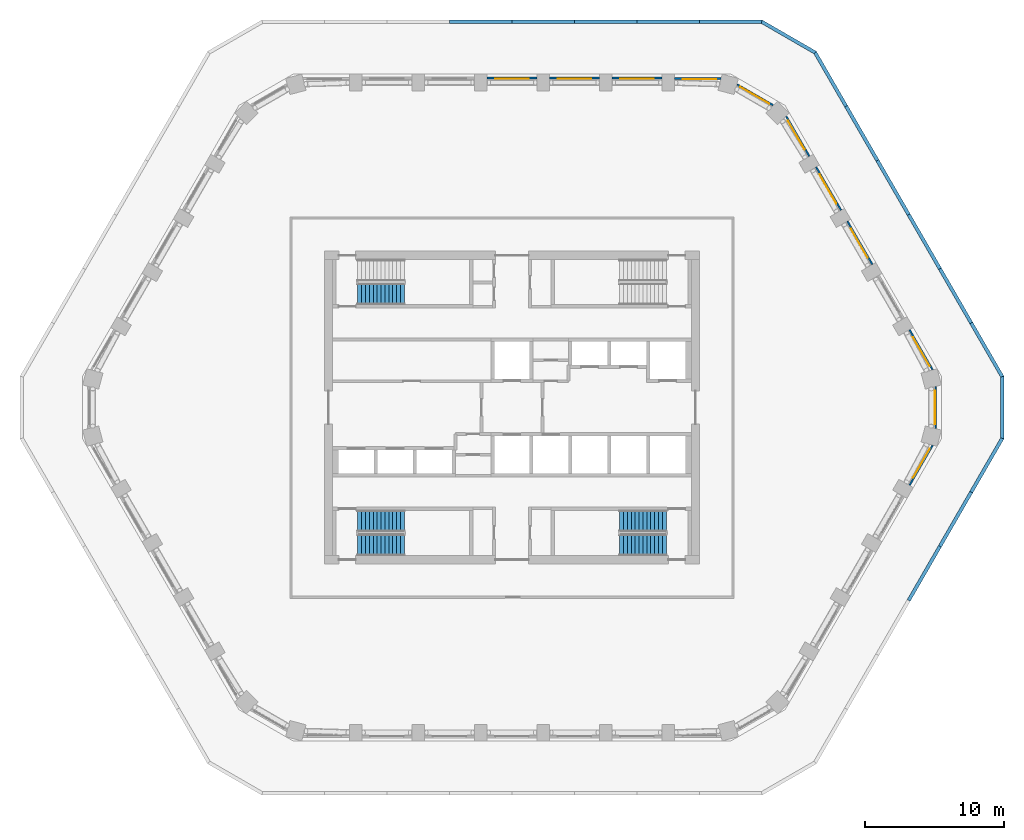
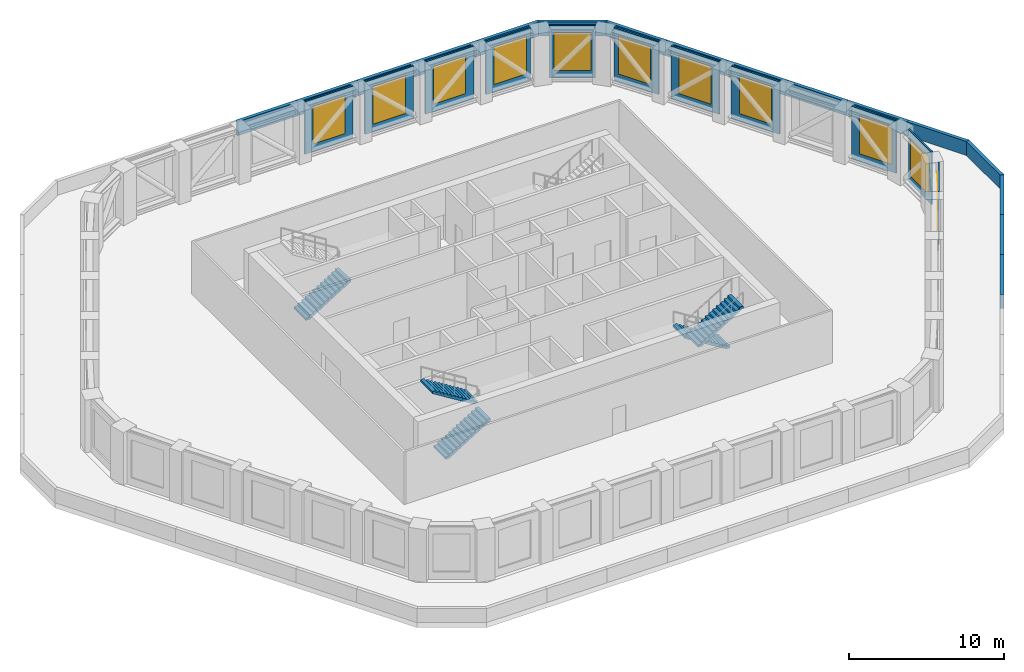
# One storey, part 7 of 14: 27 walls, 11 windows, 5 stair flights, 11 openings, 3 elements without a shape of their own.
"""IFC4 building model written with IfcOpenShell, lengths in metres."""

from ifc_helpers import new_model, si_unit, direction, frame, frame_2d, origin, place, context, subcontext, project, spatial, polyline, rectangle, outline, extrude, material, layer, layer_set, type_object, element, fill, aggregate, save


model = new_model("IFC4")

# Units and contexts
model_context = context("Model", 3, precision=1e-05, world=origin(), true_north=direction((0.0, 1.0)))
body_context = subcontext(model_context, "Body", "Model", "MODEL_VIEW")
ifc_project = project(units=[si_unit("LENGTHUNIT", "METRE"), si_unit("AREAUNIT", "SQUARE_METRE"), si_unit("VOLUMEUNIT", "CUBIC_METRE"), si_unit("PLANEANGLEUNIT", "RADIAN"), si_unit("MASSUNIT", "GRAM", prefix="KILO")], contexts=[model_context])

# Site, building, storey
site_placement = place(None, origin())
site = spatial("IfcSite", under=ifc_project, at=site_placement, CompositionType="ELEMENT")
building_placement = place(site_placement, origin())
building = spatial("IfcBuilding", under=site, at=building_placement, Name="Dhurran Vertical Campus", CompositionType="ELEMENT")
storey_placement = place(building_placement, frame((0.0, 0.0, 179.39990234375)))
storey = spatial("IfcBuildingStorey", under=building, at=storey_placement, Name="L44 Plant", CompositionType="ELEMENT", Elevation=179.39990234375)

# Wall, opening, window
ifc_material_1 = material(Name="Precast concrete C50/60", Category="concrete")
ifc_layer_1 = layer(ifc_material_1, 0.1201171875)
ifc_layer_set_1 = layer_set([ifc_layer_1], Name="Precast concrete C50/60")
wall_type_1 = type_object("IfcWallType", Name="Precast louvre-bay panel 120", PredefinedType="SOLIDWALL", material=ifc_layer_set_1)
wall_1_placement = place(storey_placement, frame((28.598388671875, -5.598876953125, 0.0), z_axis=(0.0, 0.0, 1.0), x_axis=(0.500029427677, 0.866008413041, 0.0)))
wall_1 = element("IfcWall", 1, at=wall_1_placement, inside=storey, type_object=wall_type_1, Name="EW4 L44.12", PredefinedType="SOLIDWALL", context=body_context, shape_type="SweptSolid", body=[
    extrude(rectangle(XDim=3.327392578125, YDim=0.1201171875, at=frame_2d((1.66357421875, 0.0))), origin(), (0.0, 0.0, 1.0), 4.150146484375),
])
opening_1_placement = place(wall_1_placement, frame((0.599609375, 0.0, 0.60009765625)))
opening_1 = element("IfcOpeningElement", 2, at=opening_1_placement, cuts=wall_1, Name="Opening WT4", PredefinedType="OPENING", context=body_context, shape_type="SweptSolid", body=[
    extrude(rectangle(XDim=2.39990234375, YDim=3.0, at=frame_2d((1.199951171875, 1.5))), frame((0.0, 0.070068359375, 0.0), z_axis=(0.0, -1.0, 0.0), x_axis=(1.0, 0.0, 0.0)), (0.0, 0.0, 1.0), 0.14013671875),
])
ifc_material_2 = material(Name="Aluminium louvre", Category="aluminium")
window_type = type_object("IfcWindowType", Name="Louvred plant vent 2400 x 3000", PartitioningType="SINGLE_PANEL", PredefinedType="WINDOW", material=ifc_material_2)
window_1_placement = place(opening_1_placement, origin())
window_1 = element("IfcWindow", 3, at=window_1_placement, inside=storey, type_object=window_type, Name="WT4 L44.12", OverallHeight=3.0, OverallWidth=2.39990234375, PartitioningType="SINGLE_PANEL", PredefinedType="WINDOW", context=body_context, shape_type="SweptSolid", body=[
    extrude(rectangle(XDim=2.39990234375, YDim=3.0, at=frame_2d((1.199951171875, 1.5))), frame((0.0, 0.06005859375, 0.0), z_axis=(0.0, -1.0, 0.0), x_axis=(1.0, 0.0, 0.0)), (0.0, 0.0, 1.0), 0.02001953125),
])
fill(opening_1, window_1)

wall_2_placement = place(storey_placement, frame((30.482177734375, -1.501220703125, 0.0), z_axis=(0.0, 0.0, 1.0), x_axis=(0.0, 1.0, 0.0)))
wall_2 = element("IfcWall", 4, at=wall_2_placement, inside=storey, type_object=wall_type_1, Name="EW4 L44.13", PredefinedType="SOLIDWALL", context=body_context, shape_type="SweptSolid", body=[
    extrude(rectangle(XDim=3.00244140625, YDim=0.1201171875, at=frame_2d((1.501220703125, 0.0))), origin(), (0.0, 0.0, 1.0), 4.150146484375),
])
opening_2_placement = place(wall_2_placement, frame((0.30126953125, 0.0, 0.60009765625)))
opening_2 = element("IfcOpeningElement", 5, at=opening_2_placement, cuts=wall_2, Name="Opening WT4", PredefinedType="OPENING", context=body_context, shape_type="SweptSolid", body=[
    extrude(rectangle(XDim=2.39990234375, YDim=3.0, at=frame_2d((1.199951171875, 1.5))), frame((0.0, 0.070068359375, 0.0), z_axis=(0.0, -1.0, 0.0), x_axis=(1.0, 0.0, 0.0)), (0.0, 0.0, 1.0), 0.14013671875),
])
window_2_placement = place(opening_2_placement, origin())
window_2 = element("IfcWindow", 6, at=window_2_placement, inside=storey, type_object=window_type, Name="WT4 L44.13", OverallHeight=3.0, OverallWidth=2.39990234375, PartitioningType="SINGLE_PANEL", PredefinedType="WINDOW", context=body_context, shape_type="SweptSolid", body=[
    extrude(rectangle(XDim=2.39990234375, YDim=3.0, at=frame_2d((1.199951171875, 1.5))), frame((0.0, 0.06005859375, 0.0), z_axis=(0.0, -1.0, 0.0), x_axis=(1.0, 0.0, 0.0)), (0.0, 0.0, 1.0), 0.02001953125),
])
fill(opening_2, window_2)

wall_3_placement = place(storey_placement, frame((30.26220703125, 2.71728515625, 0.0), z_axis=(0.0, 0.0, 1.0), x_axis=(-0.500029427677, 0.866008413041, 0.0)))
wall_3 = element("IfcWall", 7, at=wall_3_placement, inside=storey, type_object=wall_type_1, Name="EW4 L44.14", PredefinedType="SOLIDWALL", context=body_context, shape_type="SweptSolid", body=[
    extrude(rectangle(XDim=3.327392578125, YDim=0.1201171875, at=frame_2d((1.66357421875, 0.0))), origin(), (0.0, 0.0, 1.0), 4.150146484375),
])
opening_3_placement = place(wall_3_placement, frame((0.327880859375, 0.0, 0.60009765625)))
opening_3 = element("IfcOpeningElement", 8, at=opening_3_placement, cuts=wall_3, Name="Opening WT4", PredefinedType="OPENING", context=body_context, shape_type="SweptSolid", body=[
    extrude(rectangle(XDim=2.39990234375, YDim=3.0, at=frame_2d((1.199951171875, 1.5))), frame((0.0, 0.070068359375, 0.0), z_axis=(0.0, -1.0, 0.0), x_axis=(1.0, 0.0, 0.0)), (0.0, 0.0, 1.0), 0.14013671875),
])
window_3_placement = place(opening_3_placement, origin())
window_3 = element("IfcWindow", 9, at=window_3_placement, inside=storey, type_object=window_type, Name="WT4 L44.14", OverallHeight=3.0, OverallWidth=2.39990234375, PartitioningType="SINGLE_PANEL", PredefinedType="WINDOW", context=body_context, shape_type="SweptSolid", body=[
    extrude(rectangle(XDim=2.39990234375, YDim=3.0, at=frame_2d((1.199951171875, 1.5))), frame((0.0, 0.06005859375, 0.0), z_axis=(0.0, -1.0, 0.0), x_axis=(1.0, 0.0, 0.0)), (0.0, 0.0, 1.0), 0.02001953125),
])
fill(opening_3, window_3)

wall_4_placement = place(storey_placement, frame((25.92919921875, 10.294189453125, 0.0), z_axis=(0.0, 0.0, 1.0), x_axis=(-0.499998428639, 0.866026311008, 0.0)))
wall_4 = element("IfcWall", 10, at=wall_4_placement, inside=storey, type_object=wall_type_1, Name="EW4 L44.16", PredefinedType="SOLIDWALL", context=body_context, shape_type="SweptSolid", body=[
    extrude(rectangle(XDim=3.59912109375, YDim=0.1201171875, at=frame_2d((1.799560546875, 0.0))), origin(), (0.0, 0.0, 1.0), 4.150146484375),
])
opening_4_placement = place(wall_4_placement, frame((0.599609375, 0.0, 0.60009765625)))
opening_4 = element("IfcOpeningElement", 11, at=opening_4_placement, cuts=wall_4, Name="Opening WT4", PredefinedType="OPENING", context=body_context, shape_type="SweptSolid", body=[
    extrude(rectangle(XDim=2.39990234375, YDim=3.0, at=frame_2d((1.199951171875, 1.5))), frame((0.0, 0.070068359375, 0.0), z_axis=(0.0, -1.0, 0.0), x_axis=(1.0, 0.0, 0.0)), (0.0, 0.0, 1.0), 0.14013671875),
])
window_4_placement = place(opening_4_placement, origin())
window_4 = element("IfcWindow", 12, at=window_4_placement, inside=storey, type_object=window_type, Name="WT4 L44.16", OverallHeight=3.0, OverallWidth=2.39990234375, PartitioningType="SINGLE_PANEL", PredefinedType="WINDOW", context=body_context, shape_type="SweptSolid", body=[
    extrude(rectangle(XDim=2.39990234375, YDim=3.0, at=frame_2d((1.199951171875, 1.5))), frame((0.0, 0.06005859375, 0.0), z_axis=(0.0, -1.0, 0.0), x_axis=(1.0, 0.0, 0.0)), (0.0, 0.0, 1.0), 0.02001953125),
])
fill(opening_4, window_4)

wall_5_placement = place(storey_placement, frame((23.67919921875, 14.19140625, 0.0), z_axis=(0.0, 0.0, 1.0), x_axis=(-0.500027802648, 0.866009351323, 0.0)))
wall_5 = element("IfcWall", 13, at=wall_5_placement, inside=storey, type_object=wall_type_1, Name="EW4 L44.17", PredefinedType="SOLIDWALL", context=body_context, shape_type="SweptSolid", body=[
    extrude(rectangle(XDim=3.598876953125, YDim=0.1201171875, at=frame_2d((1.79931640625, 0.0))), origin(), (0.0, 0.0, 1.0), 4.150146484375),
])
opening_5_placement = place(wall_5_placement, frame((0.599609375, 0.0, 0.60009765625)))
opening_5 = element("IfcOpeningElement", 14, at=opening_5_placement, cuts=wall_5, Name="Opening WT4", PredefinedType="OPENING", context=body_context, shape_type="SweptSolid", body=[
    extrude(rectangle(XDim=2.39990234375, YDim=3.0, at=frame_2d((1.199951171875, 1.5))), frame((0.0, 0.070068359375, 0.0), z_axis=(0.0, -1.0, 0.0), x_axis=(1.0, 0.0, 0.0)), (0.0, 0.0, 1.0), 0.14013671875),
])
window_5_placement = place(opening_5_placement, origin())
window_5 = element("IfcWindow", 15, at=window_5_placement, inside=storey, type_object=window_type, Name="WT4 L44.17", OverallHeight=3.0, OverallWidth=2.39990234375, PartitioningType="SINGLE_PANEL", PredefinedType="WINDOW", context=body_context, shape_type="SweptSolid", body=[
    extrude(rectangle(XDim=2.39990234375, YDim=3.0, at=frame_2d((1.199951171875, 1.5))), frame((0.0, 0.06005859375, 0.0), z_axis=(0.0, -1.0, 0.0), x_axis=(1.0, 0.0, 0.0)), (0.0, 0.0, 1.0), 0.02001953125),
])
fill(opening_5, window_5)

wall_6_placement = place(storey_placement, frame((21.39794921875, 18.070556640625, 0.0), z_axis=(0.0, 0.0, 1.0), x_axis=(-0.500006170614, 0.866021841149, 0.0)))
wall_6 = element("IfcWall", 16, at=wall_6_placement, inside=storey, type_object=wall_type_1, Name="EW4 L44.18", PredefinedType="SOLIDWALL", context=body_context, shape_type="SweptSolid", body=[
    extrude(rectangle(XDim=3.3271484375, YDim=0.1201171875, at=frame_2d((1.66357421875, 0.0))), origin(), (0.0, 0.0, 1.0), 4.150146484375),
])
opening_6_placement = place(wall_6_placement, frame((0.599609375, 0.0, 0.60009765625)))
opening_6 = element("IfcOpeningElement", 17, at=opening_6_placement, cuts=wall_6, Name="Opening WT4", PredefinedType="OPENING", context=body_context, shape_type="SweptSolid", body=[
    extrude(rectangle(XDim=2.39990234375, YDim=3.0, at=frame_2d((1.199951171875, 1.5))), frame((0.0, 0.070068359375, 0.0), z_axis=(0.0, -1.0, 0.0), x_axis=(1.0, 0.0, 0.0)), (0.0, 0.0, 1.0), 0.14013671875),
])
window_6_placement = place(opening_6_placement, origin())
window_6 = element("IfcWindow", 18, at=window_6_placement, inside=storey, type_object=window_type, Name="WT4 L44.18", OverallHeight=3.0, OverallWidth=2.39990234375, PartitioningType="SINGLE_PANEL", PredefinedType="WINDOW", context=body_context, shape_type="SweptSolid", body=[
    extrude(rectangle(XDim=2.39990234375, YDim=3.0, at=frame_2d((1.199951171875, 1.5))), frame((0.0, 0.06005859375, 0.0), z_axis=(0.0, -1.0, 0.0), x_axis=(1.0, 0.0, 0.0)), (0.0, 0.0, 1.0), 0.02001953125),
])
fill(opening_6, window_6)

wall_7_placement = place(storey_placement, frame((18.791259765625, 21.75048828125, 0.0), z_axis=(0.0, 0.0, 1.0), x_axis=(-0.866037998184, 0.499978185225, 0.0)))
wall_7 = element("IfcWall", 19, at=wall_7_placement, inside=storey, type_object=wall_type_1, Name="EW4 L44.19", PredefinedType="SOLIDWALL", context=body_context, shape_type="SweptSolid", body=[
    extrude(rectangle(XDim=3.002685546875, YDim=0.1201171875, at=frame_2d((1.50146484375, 0.0))), origin(), (0.0, 0.0, 1.0), 4.150146484375),
])
opening_7_placement = place(wall_7_placement, frame((0.30126953125, 0.0, 0.60009765625)))
opening_7 = element("IfcOpeningElement", 20, at=opening_7_placement, cuts=wall_7, Name="Opening WT4", PredefinedType="OPENING", context=body_context, shape_type="SweptSolid", body=[
    extrude(rectangle(XDim=2.39990234375, YDim=3.0, at=frame_2d((1.199951171875, 1.5))), frame((0.0, 0.070068359375, 0.0), z_axis=(0.0, -1.0, 0.0), x_axis=(1.0, 0.0, 0.0)), (0.0, 0.0, 1.0), 0.14013671875),
])
window_7_placement = place(opening_7_placement, origin())
window_7 = element("IfcWindow", 21, at=window_7_placement, inside=storey, type_object=window_type, Name="WT4 L44.19", OverallHeight=3.0, OverallWidth=2.39990234375, PartitioningType="SINGLE_PANEL", PredefinedType="WINDOW", context=body_context, shape_type="SweptSolid", body=[
    extrude(rectangle(XDim=2.39990234375, YDim=3.0, at=frame_2d((1.199951171875, 1.5))), frame((0.0, 0.06005859375, 0.0), z_axis=(0.0, -1.0, 0.0), x_axis=(1.0, 0.0, 0.0)), (0.0, 0.0, 1.0), 0.02001953125),
])
fill(opening_7, window_7)

wall_8_placement = place(storey_placement, frame((15.02783203125, 23.66943359375, 0.0), z_axis=(0.0, 0.0, 1.0), x_axis=(-1.0, 0.0, 0.0)))
wall_8 = element("IfcWall", 22, at=wall_8_placement, inside=storey, type_object=wall_type_1, Name="EW4 L44.20", PredefinedType="SOLIDWALL", context=body_context, shape_type="SweptSolid", body=[
    extrude(rectangle(XDim=3.327392578125, YDim=0.1201171875, at=frame_2d((1.66357421875, 0.0))), origin(), (0.0, 0.0, 1.0), 4.150146484375),
])
opening_8_placement = place(wall_8_placement, frame((0.327880859375, 0.0, 0.60009765625)))
opening_8 = element("IfcOpeningElement", 23, at=opening_8_placement, cuts=wall_8, Name="Opening WT4", PredefinedType="OPENING", context=body_context, shape_type="SweptSolid", body=[
    extrude(rectangle(XDim=2.39990234375, YDim=3.0, at=frame_2d((1.199951171875, 1.5))), frame((0.0, 0.070068359375, 0.0), z_axis=(0.0, -1.0, 0.0), x_axis=(1.0, 0.0, 0.0)), (0.0, 0.0, 1.0), 0.14013671875),
])
window_8_placement = place(opening_8_placement, origin())
window_8 = element("IfcWindow", 24, at=window_8_placement, inside=storey, type_object=window_type, Name="WT4 L44.20", OverallHeight=3.0, OverallWidth=2.39990234375, PartitioningType="SINGLE_PANEL", PredefinedType="WINDOW", context=body_context, shape_type="SweptSolid", body=[
    extrude(rectangle(XDim=2.39990234375, YDim=3.0, at=frame_2d((1.199951171875, 1.5))), frame((0.0, 0.06005859375, 0.0), z_axis=(0.0, -1.0, 0.0), x_axis=(1.0, 0.0, 0.0)), (0.0, 0.0, 1.0), 0.02001953125),
])
fill(opening_8, window_8)

wall_9_placement = place(storey_placement, frame((10.799560546875, 23.705322265625, 0.0), z_axis=(0.0, 0.0, 1.0), x_axis=(-1.0, 0.0, 0.0)))
wall_9 = element("IfcWall", 25, at=wall_9_placement, inside=storey, type_object=wall_type_1, Name="EW4 L44.21", PredefinedType="SOLIDWALL", context=body_context, shape_type="SweptSolid", body=[
    extrude(rectangle(XDim=3.59912109375, YDim=0.1201171875, at=frame_2d((1.799560546875, 0.0))), origin(), (0.0, 0.0, 1.0), 4.150146484375),
])
opening_9_placement = place(wall_9_placement, frame((0.599609375, 0.0, 0.60009765625)))
opening_9 = element("IfcOpeningElement", 26, at=opening_9_placement, cuts=wall_9, Name="Opening WT4", PredefinedType="OPENING", context=body_context, shape_type="SweptSolid", body=[
    extrude(rectangle(XDim=2.39990234375, YDim=3.0, at=frame_2d((1.199951171875, 1.5))), frame((0.0, 0.070068359375, 0.0), z_axis=(0.0, -1.0, 0.0), x_axis=(1.0, 0.0, 0.0)), (0.0, 0.0, 1.0), 0.14013671875),
])
window_9_placement = place(opening_9_placement, origin())
window_9 = element("IfcWindow", 27, at=window_9_placement, inside=storey, type_object=window_type, Name="WT4 L44.21", OverallHeight=3.0, OverallWidth=2.39990234375, PartitioningType="SINGLE_PANEL", PredefinedType="WINDOW", context=body_context, shape_type="SweptSolid", body=[
    extrude(rectangle(XDim=2.39990234375, YDim=3.0, at=frame_2d((1.199951171875, 1.5))), frame((0.0, 0.06005859375, 0.0), z_axis=(0.0, -1.0, 0.0), x_axis=(1.0, 0.0, 0.0)), (0.0, 0.0, 1.0), 0.02001953125),
])
fill(opening_9, window_9)

wall_10_placement = place(storey_placement, frame((6.299560546875, 23.705322265625, 0.0), z_axis=(0.0, 0.0, 1.0), x_axis=(-1.0, 0.0, 0.0)))
wall_10 = element("IfcWall", 28, at=wall_10_placement, inside=storey, type_object=wall_type_1, Name="EW4 L44.22", PredefinedType="SOLIDWALL", context=body_context, shape_type="SweptSolid", body=[
    extrude(rectangle(XDim=3.59912109375, YDim=0.1201171875, at=frame_2d((1.799560546875, 0.0))), origin(), (0.0, 0.0, 1.0), 4.150146484375),
])
opening_10_placement = place(wall_10_placement, frame((0.599609375, 0.0, 0.60009765625)))
opening_10 = element("IfcOpeningElement", 29, at=opening_10_placement, cuts=wall_10, Name="Opening WT4", PredefinedType="OPENING", context=body_context, shape_type="SweptSolid", body=[
    extrude(rectangle(XDim=2.39990234375, YDim=3.0, at=frame_2d((1.199951171875, 1.5))), frame((0.0, 0.070068359375, 0.0), z_axis=(0.0, -1.0, 0.0), x_axis=(1.0, 0.0, 0.0)), (0.0, 0.0, 1.0), 0.14013671875),
])
window_10_placement = place(opening_10_placement, origin())
window_10 = element("IfcWindow", 30, at=window_10_placement, inside=storey, type_object=window_type, Name="WT4 L44.22", OverallHeight=3.0, OverallWidth=2.39990234375, PartitioningType="SINGLE_PANEL", PredefinedType="WINDOW", context=body_context, shape_type="SweptSolid", body=[
    extrude(rectangle(XDim=2.39990234375, YDim=3.0, at=frame_2d((1.199951171875, 1.5))), frame((0.0, 0.06005859375, 0.0), z_axis=(0.0, -1.0, 0.0), x_axis=(1.0, 0.0, 0.0)), (0.0, 0.0, 1.0), 0.02001953125),
])
fill(opening_10, window_10)

wall_11_placement = place(storey_placement, frame((1.799560546875, 23.705322265625, 0.0), z_axis=(0.0, 0.0, 1.0), x_axis=(-1.0, 0.0, 0.0)))
wall_11 = element("IfcWall", 31, at=wall_11_placement, inside=storey, type_object=wall_type_1, Name="EW4 L44.23", PredefinedType="SOLIDWALL", context=body_context, shape_type="SweptSolid", body=[
    extrude(rectangle(XDim=3.59912109375, YDim=0.1201171875, at=frame_2d((1.799560546875, 0.0))), origin(), (0.0, 0.0, 1.0), 4.150146484375),
])
opening_11_placement = place(wall_11_placement, frame((0.599609375, 0.0, 0.60009765625)))
opening_11 = element("IfcOpeningElement", 32, at=opening_11_placement, cuts=wall_11, Name="Opening WT4", PredefinedType="OPENING", context=body_context, shape_type="SweptSolid", body=[
    extrude(rectangle(XDim=2.39990234375, YDim=3.0, at=frame_2d((1.199951171875, 1.5))), frame((0.0, 0.070068359375, 0.0), z_axis=(0.0, -1.0, 0.0), x_axis=(1.0, 0.0, 0.0)), (0.0, 0.0, 1.0), 0.14013671875),
])
window_11_placement = place(opening_11_placement, origin())
window_11 = element("IfcWindow", 33, at=window_11_placement, inside=storey, type_object=window_type, Name="WT4 L44.23", OverallHeight=3.0, OverallWidth=2.39990234375, PartitioningType="SINGLE_PANEL", PredefinedType="WINDOW", context=body_context, shape_type="SweptSolid", body=[
    extrude(rectangle(XDim=2.39990234375, YDim=3.0, at=frame_2d((1.199951171875, 1.5))), frame((0.0, 0.06005859375, 0.0), z_axis=(0.0, -1.0, 0.0), x_axis=(1.0, 0.0, 0.0)), (0.0, 0.0, 1.0), 0.02001953125),
])
fill(opening_11, window_11)

# Walls
ifc_material_3 = material(Name="Precast concrete C50/60", Category="concrete")
ifc_layer_2 = layer(ifc_material_3, 0.25)
ifc_layer_set_2 = layer_set([ifc_layer_2], Name="Precast concrete C50/60")
wall_type_2 = type_object("IfcWallType", Name="Precast parapet 250", PredefinedType="PARAPET", material=ifc_layer_set_2)
wall_12_placement = place(storey_placement, origin())
element("IfcWall", 34, at=wall_12_placement, inside=storey, type_object=wall_type_2, Name="PW1 L44.12", PredefinedType="PARAPET", context=body_context, shape_type="SweptSolid", body=[
    extrude(outline(polyline([(28.647216796875, -13.94140625), (30.897216796875, -10.044189453125), (30.6806640625, -9.919189453125), (28.4306640625, -13.81640625), (28.647216796875, -13.94140625)])), origin(), (0.0, 0.0, 1.0), 1.10009765625),
])
wall_13_placement = place(storey_placement, origin())
element("IfcWall", 35, at=wall_13_placement, inside=storey, type_object=wall_type_2, Name="PW1 L44.13", PredefinedType="PARAPET", context=body_context, shape_type="SweptSolid", body=[
    extrude(outline(polyline([(30.897216796875, -10.044189453125), (33.147216796875, -6.147216796875), (32.9306640625, -6.022216796875), (30.6806640625, -9.919189453125), (30.897216796875, -10.044189453125)])), origin(), (0.0, 0.0, 1.0), 1.10009765625),
])
wall_14_placement = place(storey_placement, origin())
element("IfcWall", 36, at=wall_14_placement, inside=storey, type_object=wall_type_2, Name="PW1 L44.14", PredefinedType="PARAPET", context=body_context, shape_type="SweptSolid", body=[
    extrude(outline(polyline([(33.147216796875, -6.147216796875), (35.397216796875, -2.25), (35.147216796875, -2.18310546875), (32.9306640625, -6.022216796875), (33.147216796875, -6.147216796875)])), origin(), (0.0, 0.0, 1.0), 1.10009765625),
])
wall_15_placement = place(storey_placement, origin())
element("IfcWall", 37, at=wall_15_placement, inside=storey, type_object=wall_type_2, Name="PW1 L44.15", PredefinedType="PARAPET", context=body_context, shape_type="SweptSolid", body=[
    extrude(outline(polyline([(35.397216796875, -2.25), (35.397216796875, 2.25), (35.147216796875, 2.18310546875), (35.147216796875, -2.18310546875), (35.397216796875, -2.25)])), origin(), (0.0, 0.0, 1.0), 1.10009765625),
])
wall_16_placement = place(storey_placement, origin())
element("IfcWall", 38, at=wall_16_placement, inside=storey, type_object=wall_type_2, Name="PW1 L44.16", PredefinedType="PARAPET", context=body_context, shape_type="SweptSolid", body=[
    extrude(outline(polyline([(35.397216796875, 2.25), (33.147216796875, 6.147216796875), (32.9306640625, 6.022216796875), (35.147216796875, 2.18310546875), (35.397216796875, 2.25)])), origin(), (0.0, 0.0, 1.0), 1.10009765625),
])
wall_17_placement = place(storey_placement, origin())
element("IfcWall", 39, at=wall_17_placement, inside=storey, type_object=wall_type_2, Name="PW1 L44.17", PredefinedType="PARAPET", context=body_context, shape_type="SweptSolid", body=[
    extrude(outline(polyline([(33.147216796875, 6.147216796875), (30.897216796875, 10.044189453125), (30.6806640625, 9.919189453125), (32.9306640625, 6.022216796875), (33.147216796875, 6.147216796875)])), origin(), (0.0, 0.0, 1.0), 1.10009765625),
])
wall_18_placement = place(storey_placement, origin())
element("IfcWall", 40, at=wall_18_placement, inside=storey, type_object=wall_type_2, Name="PW1 L44.18", PredefinedType="PARAPET", context=body_context, shape_type="SweptSolid", body=[
    extrude(outline(polyline([(30.897216796875, 10.044189453125), (28.647216796875, 13.94140625), (28.4306640625, 13.81640625), (30.6806640625, 9.919189453125), (30.897216796875, 10.044189453125)])), origin(), (0.0, 0.0, 1.0), 1.10009765625),
])
wall_19_placement = place(storey_placement, origin())
element("IfcWall", 41, at=wall_19_placement, inside=storey, type_object=wall_type_2, Name="PW1 L44.19", PredefinedType="PARAPET", context=body_context, shape_type="SweptSolid", body=[
    extrude(outline(polyline([(28.647216796875, 13.94140625), (26.397216796875, 17.83837890625), (26.1806640625, 17.71337890625), (28.4306640625, 13.81640625), (28.647216796875, 13.94140625)])), origin(), (0.0, 0.0, 1.0), 1.10009765625),
])
wall_20_placement = place(storey_placement, origin())
element("IfcWall", 42, at=wall_20_placement, inside=storey, type_object=wall_type_2, Name="PW1 L44.20", PredefinedType="PARAPET", context=body_context, shape_type="SweptSolid", body=[
    extrude(outline(polyline([(26.397216796875, 17.83837890625), (24.147216796875, 21.735595703125), (23.9306640625, 21.610595703125), (26.1806640625, 17.71337890625), (26.397216796875, 17.83837890625)])), origin(), (0.0, 0.0, 1.0), 1.10009765625),
])
wall_21_placement = place(storey_placement, origin())
element("IfcWall", 43, at=wall_21_placement, inside=storey, type_object=wall_type_2, Name="PW1 L44.21", PredefinedType="PARAPET", context=body_context, shape_type="SweptSolid", body=[
    extrude(outline(polyline([(24.147216796875, 21.735595703125), (21.897216796875, 25.6328125), (21.714111328125, 25.44970703125), (23.9306640625, 21.610595703125), (24.147216796875, 21.735595703125)])), origin(), (0.0, 0.0, 1.0), 1.10009765625),
])
wall_22_placement = place(storey_placement, origin())
element("IfcWall", 44, at=wall_22_placement, inside=storey, type_object=wall_type_2, Name="PW1 L44.22", PredefinedType="PARAPET", context=body_context, shape_type="SweptSolid", body=[
    extrude(outline(polyline([(21.897216796875, 25.6328125), (18.0, 27.8828125), (17.93310546875, 27.6328125), (21.714111328125, 25.44970703125), (21.897216796875, 25.6328125)])), origin(), (0.0, 0.0, 1.0), 1.10009765625),
])
wall_23_placement = place(storey_placement, origin())
element("IfcWall", 45, at=wall_23_placement, inside=storey, type_object=wall_type_2, Name="PW1 L44.23", PredefinedType="PARAPET", context=body_context, shape_type="SweptSolid", body=[
    extrude(outline(polyline([(18.0, 27.8828125), (13.5, 27.8828125), (13.5, 27.6328125), (17.93310546875, 27.6328125), (18.0, 27.8828125)])), origin(), (0.0, 0.0, 1.0), 1.10009765625),
])
wall_24_placement = place(storey_placement, origin())
element("IfcWall", 46, at=wall_24_placement, inside=storey, type_object=wall_type_2, Name="PW1 L44.24", PredefinedType="PARAPET", context=body_context, shape_type="SweptSolid", body=[
    extrude(outline(polyline([(13.5, 27.8828125), (9.0, 27.8828125), (9.0, 27.6328125), (13.5, 27.6328125), (13.5, 27.8828125)])), origin(), (0.0, 0.0, 1.0), 1.10009765625),
])
wall_25_placement = place(storey_placement, origin())
element("IfcWall", 47, at=wall_25_placement, inside=storey, type_object=wall_type_2, Name="PW1 L44.25", PredefinedType="PARAPET", context=body_context, shape_type="SweptSolid", body=[
    extrude(outline(polyline([(9.0, 27.8828125), (4.5, 27.8828125), (4.5, 27.6328125), (9.0, 27.6328125), (9.0, 27.8828125)])), origin(), (0.0, 0.0, 1.0), 1.10009765625),
])
wall_26_placement = place(storey_placement, origin())
element("IfcWall", 48, at=wall_26_placement, inside=storey, type_object=wall_type_2, Name="PW1 L44.26", PredefinedType="PARAPET", context=body_context, shape_type="SweptSolid", body=[
    extrude(outline(polyline([(4.5, 27.8828125), (0.0, 27.8828125), (0.0, 27.6328125), (4.5, 27.6328125), (4.5, 27.8828125)])), origin(), (0.0, 0.0, 1.0), 1.10009765625),
])
wall_27_placement = place(storey_placement, origin())
element("IfcWall", 49, at=wall_27_placement, inside=storey, type_object=wall_type_2, Name="PW1 L44.27", PredefinedType="PARAPET", context=body_context, shape_type="SweptSolid", body=[
    extrude(outline(polyline([(0.0, 27.8828125), (-4.5, 27.8828125), (-4.5, 27.6328125), (0.0, 27.6328125), (0.0, 27.8828125)])), origin(), (0.0, 0.0, 1.0), 1.10009765625),
])

# Stair, stair flight
ifc_material_4 = material(Name="Concrete C40/50", Category="concrete")
stair_type = type_object("IfcStairType", Name="co-ST-CORE", PredefinedType="HALF_TURN_STAIR", material=ifc_material_4)
stair_1_placement = place(storey_placement, origin())
stair_1 = element("IfcStair", 50, at=stair_1_placement, inside=storey, type_object=stair_type, Name="L44 Plant Protected exit stair ST1", PredefinedType="HALF_TURN_STAIR")
ifc_material_5 = material(Name="Concrete C40/50", Category="concrete")
stair_flight_type = type_object("IfcStairFlightType", Name="co-SFL-RC", PredefinedType="STRAIGHT", material=ifc_material_5)
stair_flight_1_placement = place(storey_placement, frame((-11.10009765625, 8.175048828125, 0.0), z_axis=(0.0, 0.0, 1.0), x_axis=(1.0, 0.0, 0.0)))
stair_flight_1 = element("IfcStairFlight", 51, at=stair_flight_1_placement, type_object=stair_flight_type, Name="ST1 flight 1", NumberOfRisers=13, NumberOfTreads=12, PredefinedType="STRAIGHT", RiserHeight=0.173076923, TreadLength=0.28, context=body_context, shape_type="SweptSolid", body=[
    extrude(outline(polyline([(0.0, 0.0), (0.0, 0.173095703125), (0.280029296875, 0.173095703125), (0.280029296875, 0.34619140625), (0.56005859375, 0.34619140625), (0.56005859375, 0.519287109375), (0.840087890625, 0.519287109375), (0.840087890625, 0.6923828125), (1.1201171875, 0.6923828125), (1.1201171875, 0.865478515625), (1.39990234375, 0.865478515625), (1.39990234375, 1.03857421875), (1.679931640625, 1.03857421875), (1.679931640625, 1.21142578125), (1.9599609375, 1.21142578125), (1.9599609375, 1.384521484375), (2.239990234375, 1.384521484375), (2.239990234375, 1.5576171875), (2.52001953125, 1.5576171875), (2.52001953125, 1.730712890625), (2.800048828125, 1.730712890625), (2.800048828125, 1.90380859375), (3.080078125, 1.90380859375), (3.080078125, 2.076904296875), (3.360107421875, 2.076904296875), (3.360107421875, 2.25), (3.360107421875, 1.900634765625), (0.28515625, 0.0), (0.0, 0.0)])), frame((0.0, 0.77490234375, 0.0), z_axis=(0.0, -1.0, 0.0), x_axis=(1.0, 0.0, 0.0)), (0.0, 0.0, 1.0), 1.550048828125),
])
aggregate(stair_1, [stair_flight_1])

# Stair, stair flights
stair_2_placement = place(storey_placement, origin())
stair_2 = element("IfcStair", 52, at=stair_2_placement, inside=storey, type_object=stair_type, Name="L44 Plant Protected exit stair ST3", PredefinedType="HALF_TURN_STAIR")
stair_flight_2_placement = place(storey_placement, frame((-11.10009765625, -9.875, 0.0), z_axis=(0.0, 0.0, 1.0), x_axis=(1.0, 0.0, 0.0)))
stair_flight_2 = element("IfcStairFlight", 53, at=stair_flight_2_placement, type_object=stair_flight_type, Name="ST3 flight 1", NumberOfRisers=13, NumberOfTreads=12, PredefinedType="STRAIGHT", RiserHeight=0.173076923, TreadLength=0.28, context=body_context, shape_type="SweptSolid", body=[
    extrude(outline(polyline([(0.0, 0.0), (0.0, 0.173095703125), (0.280029296875, 0.173095703125), (0.280029296875, 0.34619140625), (0.56005859375, 0.34619140625), (0.56005859375, 0.519287109375), (0.840087890625, 0.519287109375), (0.840087890625, 0.6923828125), (1.1201171875, 0.6923828125), (1.1201171875, 0.865478515625), (1.39990234375, 0.865478515625), (1.39990234375, 1.03857421875), (1.679931640625, 1.03857421875), (1.679931640625, 1.21142578125), (1.9599609375, 1.21142578125), (1.9599609375, 1.384521484375), (2.239990234375, 1.384521484375), (2.239990234375, 1.5576171875), (2.52001953125, 1.5576171875), (2.52001953125, 1.730712890625), (2.800048828125, 1.730712890625), (2.800048828125, 1.90380859375), (3.080078125, 1.90380859375), (3.080078125, 2.076904296875), (3.360107421875, 2.076904296875), (3.360107421875, 2.25), (3.360107421875, 1.900634765625), (0.28515625, 0.0), (0.0, 0.0)])), frame((0.0, 0.77490234375, 0.0), z_axis=(0.0, -1.0, 0.0), x_axis=(1.0, 0.0, 0.0)), (0.0, 0.0, 1.0), 1.550048828125),
])
stair_flight_3_placement = place(storey_placement, frame((-7.739990234375, -8.175048828125, 2.25), z_axis=(0.0, 0.0, 1.0), x_axis=(-1.0, 0.0, 0.0)))
stair_flight_3 = element("IfcStairFlight", 54, at=stair_flight_3_placement, type_object=stair_flight_type, Name="ST3 flight 2", NumberOfRisers=13, NumberOfTreads=12, PredefinedType="STRAIGHT", RiserHeight=0.173076923, TreadLength=0.28, context=body_context, shape_type="SweptSolid", body=[
    extrude(outline(polyline([(0.0, 0.0), (0.0, 0.173095703125), (0.280029296875, 0.173095703125), (0.280029296875, 0.34619140625), (0.56005859375, 0.34619140625), (0.56005859375, 0.519287109375), (0.840087890625, 0.519287109375), (0.840087890625, 0.6923828125), (1.1201171875, 0.6923828125), (1.1201171875, 0.865478515625), (1.39990234375, 0.865478515625), (1.39990234375, 1.03857421875), (1.679931640625, 1.03857421875), (1.679931640625, 1.21142578125), (1.9599609375, 1.21142578125), (1.9599609375, 1.384521484375), (2.239990234375, 1.384521484375), (2.239990234375, 1.5576171875), (2.52001953125, 1.5576171875), (2.52001953125, 1.730712890625), (2.800048828125, 1.730712890625), (2.800048828125, 1.90380859375), (3.080078125, 1.90380859375), (3.080078125, 2.076904296875), (3.360107421875, 2.076904296875), (3.360107421875, 2.25), (3.360107421875, 1.900634765625), (0.28515625, 0.0), (0.0, 0.0)])), frame((0.0, 0.77490234375, 0.0), z_axis=(0.0, -1.0, 0.0), x_axis=(1.0, 0.0, 0.0)), (0.0, 0.0, 1.0), 1.550048828125),
])
aggregate(stair_2, [stair_flight_2, stair_flight_3])

stair_3_placement = place(storey_placement, origin())
stair_3 = element("IfcStair", 55, at=stair_3_placement, inside=storey, type_object=stair_type, Name="L44 Plant Protected exit stair ST4", PredefinedType="HALF_TURN_STAIR")
stair_flight_4_placement = place(storey_placement, frame((11.10009765625, -8.175048828125, 0.0), z_axis=(0.0, 0.0, 1.0), x_axis=(-1.0, 0.0, 0.0)))
stair_flight_4 = element("IfcStairFlight", 56, at=stair_flight_4_placement, type_object=stair_flight_type, Name="ST4 flight 1", NumberOfRisers=13, NumberOfTreads=12, PredefinedType="STRAIGHT", RiserHeight=0.173076923, TreadLength=0.28, context=body_context, shape_type="SweptSolid", body=[
    extrude(outline(polyline([(0.0, 0.0), (0.0, 0.173095703125), (0.280029296875, 0.173095703125), (0.280029296875, 0.34619140625), (0.56005859375, 0.34619140625), (0.56005859375, 0.519287109375), (0.840087890625, 0.519287109375), (0.840087890625, 0.6923828125), (1.1201171875, 0.6923828125), (1.1201171875, 0.865478515625), (1.39990234375, 0.865478515625), (1.39990234375, 1.03857421875), (1.679931640625, 1.03857421875), (1.679931640625, 1.21142578125), (1.9599609375, 1.21142578125), (1.9599609375, 1.384521484375), (2.239990234375, 1.384521484375), (2.239990234375, 1.5576171875), (2.52001953125, 1.5576171875), (2.52001953125, 1.730712890625), (2.800048828125, 1.730712890625), (2.800048828125, 1.90380859375), (3.080078125, 1.90380859375), (3.080078125, 2.076904296875), (3.360107421875, 2.076904296875), (3.360107421875, 2.25), (3.360107421875, 1.900634765625), (0.28515625, 0.0), (0.0, 0.0)])), frame((0.0, 0.77490234375, 0.0), z_axis=(0.0, -1.0, 0.0), x_axis=(1.0, 0.0, 0.0)), (0.0, 0.0, 1.0), 1.550048828125),
])
stair_flight_5_placement = place(storey_placement, frame((7.739990234375, -9.875, 2.25), z_axis=(0.0, 0.0, 1.0), x_axis=(1.0, 0.0, 0.0)))
stair_flight_5 = element("IfcStairFlight", 57, at=stair_flight_5_placement, type_object=stair_flight_type, Name="ST4 flight 2", NumberOfRisers=13, NumberOfTreads=12, PredefinedType="STRAIGHT", RiserHeight=0.173076923, TreadLength=0.28, context=body_context, shape_type="SweptSolid", body=[
    extrude(outline(polyline([(0.0, 0.0), (0.0, 0.173095703125), (0.280029296875, 0.173095703125), (0.280029296875, 0.34619140625), (0.56005859375, 0.34619140625), (0.56005859375, 0.519287109375), (0.840087890625, 0.519287109375), (0.840087890625, 0.6923828125), (1.1201171875, 0.6923828125), (1.1201171875, 0.865478515625), (1.39990234375, 0.865478515625), (1.39990234375, 1.03857421875), (1.679931640625, 1.03857421875), (1.679931640625, 1.21142578125), (1.9599609375, 1.21142578125), (1.9599609375, 1.384521484375), (2.239990234375, 1.384521484375), (2.239990234375, 1.5576171875), (2.52001953125, 1.5576171875), (2.52001953125, 1.730712890625), (2.800048828125, 1.730712890625), (2.800048828125, 1.90380859375), (3.080078125, 1.90380859375), (3.080078125, 2.076904296875), (3.360107421875, 2.076904296875), (3.360107421875, 2.25), (3.360107421875, 1.900634765625), (0.28515625, 0.0), (0.0, 0.0)])), frame((0.0, 0.77490234375, 0.0), z_axis=(0.0, -1.0, 0.0), x_axis=(1.0, 0.0, 0.0)), (0.0, 0.0, 1.0), 1.550048828125),
])
aggregate(stair_3, [stair_flight_4, stair_flight_5])

save(model, "model.ifc")
